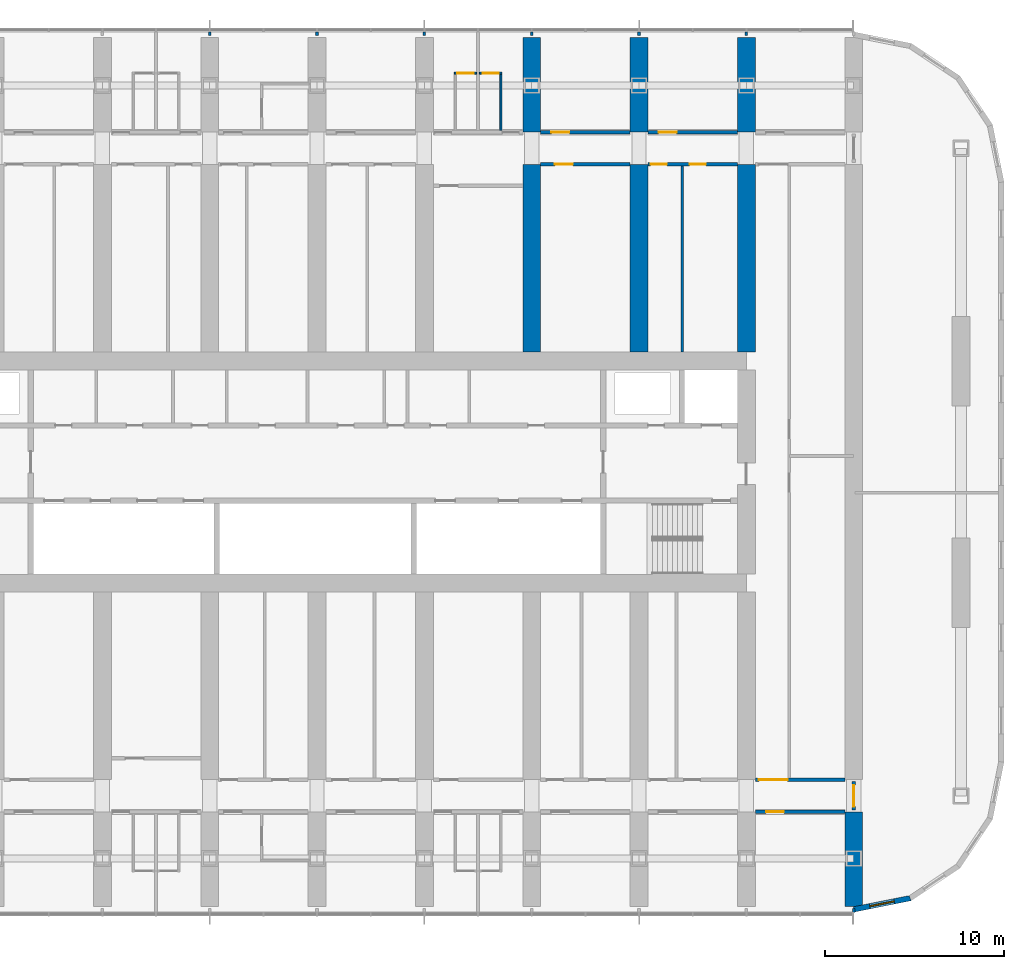
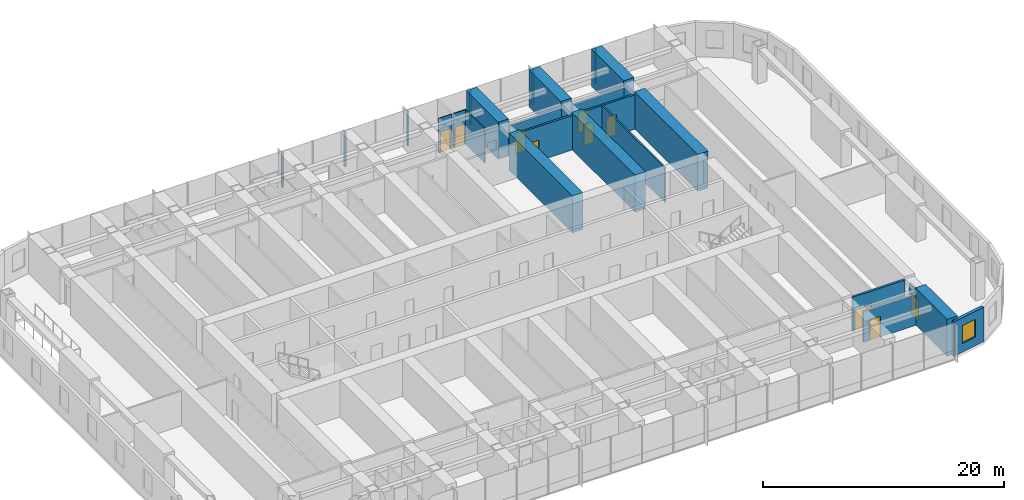
# One storey, part 16 of 22: 26 walls, 10 doors, 1 window, 11 openings.
"""IFC4 building model written with IfcOpenShell, lengths in metres."""

from ifc_helpers import new_model, si_unit, direction, frame, frame_2d, origin, place, context, subcontext, project, spatial, polyline, rectangle, outline, extrude, material, layer, layer_set, type_object, element, fill, save


model = new_model("IFC4")

# Units and contexts
model_context = context("Model", 3, precision=1e-05, world=origin(), true_north=direction((0.0, 1.0)))
body_context = subcontext(model_context, "Body", "Model", "MODEL_VIEW")
ifc_project = project(units=[si_unit("LENGTHUNIT", "METRE"), si_unit("AREAUNIT", "SQUARE_METRE"), si_unit("VOLUMEUNIT", "CUBIC_METRE"), si_unit("PLANEANGLEUNIT", "RADIAN"), si_unit("MASSUNIT", "GRAM", prefix="KILO")], contexts=[model_context])

# Site, building, storey
site_placement = place(None, origin())
site = spatial("IfcSite", under=ifc_project, at=site_placement, CompositionType="ELEMENT")
building_placement = place(site_placement, origin())
building = spatial("IfcBuilding", under=site, at=building_placement, Name="Orbita Commons", CompositionType="ELEMENT")
storey_placement = place(building_placement, frame((0.0, 0.0, 57.699951171875)))
storey = spatial("IfcBuildingStorey", under=building, at=storey_placement, Name="L14", CompositionType="ELEMENT", Elevation=57.699951171875)

# Wall, opening, door
ifc_material_1 = material(Name="Concrete blockwork", Category="masonry")
ifc_layer_1 = layer(ifc_material_1, 0.199951171875)
ifc_layer_set_1 = layer_set([ifc_layer_1], Name="Concrete blockwork")
wall_type_1 = type_object("IfcWallType", Name="Corridor wall 200 blockwork", PredefinedType="SOLIDWALL", material=ifc_layer_set_1)
wall_1_placement = place(storey_placement, frame((66.5, 13.0, 0.0), z_axis=(0.0, 0.0, 1.0), x_axis=(1.0, 0.0, 0.0)))
wall_1 = element("IfcWall", 1, at=wall_1_placement, inside=storey, type_object=wall_type_1, Name="Corridor wall 200 blockwork L14", PredefinedType="SOLIDWALL", context=body_context, shape_type="SweptSolid", body=[
    extrude(outline(polyline([(0.0, 0.0), (5.0, 0.0), (5.0, 3.10009765625), (0.0, 3.10009765625), (0.0, 0.0)])), frame((0.0, 0.10009765625, 0.0), z_axis=(0.0, -1.0, 0.0), x_axis=(1.0, 0.0, 0.0)), (0.0, 0.0, 1.0), 0.199951171875),
])
opening_1_placement = place(wall_1_placement, frame((0.60009765625, 0.0, 0.0)))
opening_1 = element("IfcOpeningElement", 2, at=opening_1_placement, cuts=wall_1, Name="Opening D06", PredefinedType="OPENING", context=body_context, shape_type="SweptSolid", body=[
    extrude(rectangle(XDim=1.0, YDim=2.10009765625, at=frame_2d((0.5, 1.050048828125))), frame((0.0, 0.10986328125, 0.0), z_axis=(0.0, -1.0, 0.0), x_axis=(1.0, 0.0, 0.0)), (0.0, 0.0, 1.0), 0.219970703125),
])
ifc_material_2 = material(Name="Steel-faced fire door leaf", Category="steel")
door_type_1 = type_object("IfcDoorType", Name="Corridor door 20 min 1000x2100", OperationType="SINGLE_SWING_LEFT", PredefinedType="DOOR", material=ifc_material_2)
door_1_placement = place(opening_1_placement, origin())
door_1 = element("IfcDoor", 3, at=door_1_placement, inside=storey, type_object=door_type_1, Name="House study room L14-S18 door", OperationType="SINGLE_SWING_LEFT", OverallHeight=2.10009765625, OverallWidth=1.0, PredefinedType="DOOR", context=body_context, shape_type="SweptSolid", body=[
    extrude(rectangle(XDim=1.0, YDim=2.10009765625, at=frame_2d((0.5, 1.050048828125))), frame((0.0, 0.02490234375, 0.0), z_axis=(0.0, -1.0, 0.0), x_axis=(1.0, 0.0, 0.0)), (0.0, 0.0, 1.0), 0.050048828125),
])
fill(opening_1, door_1)

wall_2_placement = place(storey_placement, frame((54.5, 51.0, 0.0), z_axis=(0.0, 0.0, 1.0), x_axis=(1.0, 0.0, 0.0)))
wall_2 = element("IfcWall", 4, at=wall_2_placement, inside=storey, type_object=wall_type_1, Name="Corridor wall 200 blockwork L14", PredefinedType="SOLIDWALL", context=body_context, shape_type="SweptSolid", body=[
    extrude(outline(polyline([(0.0, 0.0), (5.0, 0.0), (5.0, 3.10009765625), (0.0, 3.10009765625), (0.0, 0.0)])), frame((0.0, 0.10009765625, 0.0), z_axis=(0.0, -1.0, 0.0), x_axis=(1.0, 0.0, 0.0)), (0.0, 0.0, 1.0), 0.199951171875),
])
opening_2_placement = place(wall_2_placement, frame((0.60009765625, 0.0, 0.0)))
opening_2 = element("IfcOpeningElement", 5, at=opening_2_placement, cuts=wall_2, Name="Opening D06", PredefinedType="OPENING", context=body_context, shape_type="SweptSolid", body=[
    extrude(rectangle(XDim=1.0, YDim=2.10009765625, at=frame_2d((0.5, 1.050048828125))), frame((0.0, 0.10986328125, 0.0), z_axis=(0.0, -1.0, 0.0), x_axis=(1.0, 0.0, 0.0)), (0.0, 0.0, 1.0), 0.219970703125),
])
door_2_placement = place(opening_2_placement, origin())
door_2 = element("IfcDoor", 6, at=door_2_placement, inside=storey, type_object=door_type_1, Name="House common room L14-N14 door", OperationType="SINGLE_SWING_LEFT", OverallHeight=2.10009765625, OverallWidth=1.0, PredefinedType="DOOR", context=body_context, shape_type="SweptSolid", body=[
    extrude(rectangle(XDim=1.0, YDim=2.10009765625, at=frame_2d((0.5, 1.050048828125))), frame((0.0, 0.02490234375, 0.0), z_axis=(0.0, -1.0, 0.0), x_axis=(1.0, 0.0, 0.0)), (0.0, 0.0, 1.0), 0.050048828125),
])
fill(opening_2, door_2)

wall_3_placement = place(storey_placement, frame((60.5, 51.0, 0.0), z_axis=(0.0, 0.0, 1.0), x_axis=(1.0, 0.0, 0.0)))
wall_3 = element("IfcWall", 7, at=wall_3_placement, inside=storey, type_object=wall_type_1, Name="Corridor wall 200 blockwork L14", PredefinedType="SOLIDWALL", context=body_context, shape_type="SweptSolid", body=[
    extrude(outline(polyline([(0.0, 0.0), (5.0, 0.0), (5.0, 3.10009765625), (0.0, 3.10009765625), (0.0, 0.0)])), frame((0.0, 0.10009765625, 0.0), z_axis=(0.0, -1.0, 0.0), x_axis=(1.0, 0.0, 0.0)), (0.0, 0.0, 1.0), 0.199951171875),
])
opening_3_placement = place(wall_3_placement, frame((0.60009765625, 0.0, 0.0)))
opening_3 = element("IfcOpeningElement", 8, at=opening_3_placement, cuts=wall_3, Name="Opening D06", PredefinedType="OPENING", context=body_context, shape_type="SweptSolid", body=[
    extrude(rectangle(XDim=1.0, YDim=2.10009765625, at=frame_2d((0.5, 1.050048828125))), frame((0.0, 0.10986328125, 0.0), z_axis=(0.0, -1.0, 0.0), x_axis=(1.0, 0.0, 0.0)), (0.0, 0.0, 1.0), 0.219970703125),
])
door_3_placement = place(opening_3_placement, origin())
door_3 = element("IfcDoor", 9, at=door_3_placement, inside=storey, type_object=door_type_1, Name="House kitchen-diner L14-N16 door", OperationType="SINGLE_SWING_LEFT", OverallHeight=2.10009765625, OverallWidth=1.0, PredefinedType="DOOR", context=body_context, shape_type="SweptSolid", body=[
    extrude(rectangle(XDim=1.0, YDim=2.10009765625, at=frame_2d((0.5, 1.050048828125))), frame((0.0, 0.02490234375, 0.0), z_axis=(0.0, -1.0, 0.0), x_axis=(1.0, 0.0, 0.0)), (0.0, 0.0, 1.0), 0.050048828125),
])
fill(opening_3, door_3)

wall_4_placement = place(storey_placement, frame((72.0, 13.10009765625, 0.0), z_axis=(0.0, 0.0, 1.0), x_axis=(0.0, 1.0, 0.0)))
wall_4 = element("IfcWall", 10, at=wall_4_placement, inside=storey, type_object=wall_type_1, Name="Corridor wall 200 blockwork L14", PredefinedType="SOLIDWALL", context=body_context, shape_type="SweptSolid", body=[
    extrude(outline(polyline([(0.0, 0.0), (1.599853515625, 0.0), (1.60009765625, 3.050048828125), (0.0, 3.050048828125), (0.0, 0.0)])), frame((0.0, 0.10009765625, 0.0), z_axis=(0.0, -1.0, 0.0), x_axis=(1.0, 0.0, 0.0)), (0.0, 0.0, 1.0), 0.199951171875),
])
opening_4_placement = place(wall_4_placement, frame((0.199951171875, 0.0, 0.0)))
opening_4 = element("IfcOpeningElement", 11, at=opening_4_placement, cuts=wall_4, Name="Opening D12", PredefinedType="OPENING", context=body_context, shape_type="SweptSolid", body=[
    extrude(rectangle(XDim=1.199951171875, YDim=2.10009765625, at=frame_2d((0.60009765625, 1.050048828125))), frame((0.0, 0.10986328125, 0.0), z_axis=(0.0, -1.0, 0.0), x_axis=(1.0, 0.0, 0.0)), (0.0, 0.0, 1.0), 0.219970703125),
])
ifc_material_3 = material(Name="Steel-faced fire door leaf", Category="steel")
door_type_2 = type_object("IfcDoorType", Name="Double corridor door 20 min 1200x2100", OperationType="DOUBLE_DOOR_SINGLE_SWING", PredefinedType="DOOR", material=ifc_material_3)
door_4_placement = place(opening_4_placement, origin())
door_4 = element("IfcDoor", 12, at=door_4_placement, inside=storey, type_object=door_type_2, Name="Lounge doors", OperationType="DOUBLE_DOOR_SINGLE_SWING", OverallHeight=2.10009765625, OverallWidth=1.199951171875, PredefinedType="DOOR", context=body_context, shape_type="SweptSolid", body=[
    extrude(rectangle(XDim=1.199951171875, YDim=2.10009765625, at=frame_2d((0.60009765625, 1.050048828125))), frame((0.0, 0.02490234375, 0.0), z_axis=(0.0, -1.0, 0.0), x_axis=(1.0, 0.0, 0.0)), (0.0, 0.0, 1.0), 0.050048828125),
])
fill(opening_4, door_4)

ifc_material_4 = material(Name="Hollow concrete block 200", Category="concrete")
ifc_layer_2 = layer(ifc_material_4, 0.199951171875)
ifc_layer_set_2 = layer_set([ifc_layer_2], Name="Hollow concrete block 200")
wall_type_2 = type_object("IfcWallType", Name="Corridor wall 200 hollow concrete block", PredefinedType="SOLIDWALL", material=ifc_layer_set_2)
wall_5_placement = place(storey_placement, frame((66.5, 14.800048828125, 0.0), z_axis=(0.0, 0.0, 1.0), x_axis=(1.0, 0.0, 0.0)))
wall_5 = element("IfcWall", 13, at=wall_5_placement, inside=storey, type_object=wall_type_2, Name="Corridor wall 200 hollow concrete block L14", PredefinedType="SOLIDWALL", context=body_context, shape_type="SweptSolid", body=[
    extrude(rectangle(XDim=5.0, YDim=0.199951171875, at=frame_2d((2.5, 0.0))), origin(), (0.0, 0.0, 1.0), 3.5),
])
opening_5_placement = place(wall_5_placement, frame((0.199951171875, 0.0, 0.0)))
opening_5 = element("IfcOpeningElement", 14, at=opening_5_placement, cuts=wall_5, Name="Opening D10", PredefinedType="OPENING", context=body_context, shape_type="SweptSolid", body=[
    extrude(rectangle(XDim=1.60009765625, YDim=2.10009765625, at=frame_2d((0.800048828125, 1.050048828125))), frame((0.0, 0.10986328125, 0.0), z_axis=(0.0, -1.0, 0.0), x_axis=(1.0, 0.0, 0.0)), (0.0, 0.0, 1.0), 0.219970703125),
])
ifc_material_5 = material(Name="Steel-faced fire door leaf", Category="steel")
door_type_3 = type_object("IfcDoorType", Name="Double corridor door 20 min 1600x2100", OperationType="DOUBLE_DOOR_SINGLE_SWING", PredefinedType="DOOR", material=ifc_material_5)
door_5_placement = place(opening_5_placement, origin())
door_5 = element("IfcDoor", 15, at=door_5_placement, inside=storey, type_object=door_type_3, Name="Cross corridor doors", OperationType="DOUBLE_DOOR_SINGLE_SWING", OverallHeight=2.10009765625, OverallWidth=1.60009765625, PredefinedType="DOOR", context=body_context, shape_type="SweptSolid", body=[
    extrude(rectangle(XDim=1.60009765625, YDim=2.10009765625, at=frame_2d((0.800048828125, 1.050048828125))), frame((0.0, 0.02490234375, 0.0), z_axis=(0.0, -1.0, 0.0), x_axis=(1.0, 0.0, 0.0)), (0.0, 0.0, 1.0), 0.050048828125),
])
fill(opening_5, door_5)

wall_6_placement = place(storey_placement, frame((54.5, 49.199951171875, 0.0), z_axis=(0.0, 0.0, 1.0), x_axis=(1.0, 0.0, 0.0)))
wall_6 = element("IfcWall", 16, at=wall_6_placement, inside=storey, type_object=wall_type_2, Name="Corridor wall 200 hollow concrete block L14", PredefinedType="SOLIDWALL", context=body_context, shape_type="SweptSolid", body=[
    extrude(rectangle(XDim=5.0, YDim=0.199951171875, at=frame_2d((2.5, 0.0))), origin(), (0.0, 0.0, 1.0), 3.5),
])
opening_6_placement = place(wall_6_placement, frame((0.800048828125, 0.0, 0.0)))
opening_6 = element("IfcOpeningElement", 17, at=opening_6_placement, cuts=wall_6, Name="Opening D06", PredefinedType="OPENING", context=body_context, shape_type="SweptSolid", body=[
    extrude(rectangle(XDim=1.0, YDim=2.10009765625, at=frame_2d((0.5, 1.050048828125))), frame((0.0, 0.10986328125, 0.0), z_axis=(0.0, -1.0, 0.0), x_axis=(1.0, 0.0, 0.0)), (0.0, 0.0, 1.0), 0.219970703125),
])
door_6_placement = place(opening_6_placement, origin())
door_6 = element("IfcDoor", 18, at=door_6_placement, inside=storey, type_object=door_type_1, Name="Store L14-BDN54 door", OperationType="SINGLE_SWING_LEFT", OverallHeight=2.10009765625, OverallWidth=1.0, PredefinedType="DOOR", context=body_context, shape_type="SweptSolid", body=[
    extrude(rectangle(XDim=1.0, YDim=2.10009765625, at=frame_2d((0.5, 1.050048828125))), frame((0.0, 0.02490234375, 0.0), z_axis=(0.0, -1.0, 0.0), x_axis=(1.0, 0.0, 0.0)), (0.0, 0.0, 1.0), 0.050048828125),
])
fill(opening_6, door_6)

# Wall, openings, doors
wall_7_placement = place(storey_placement, frame((60.5, 49.199951171875, 0.0), z_axis=(0.0, 0.0, 1.0), x_axis=(1.0, 0.0, 0.0)))
wall_7 = element("IfcWall", 19, at=wall_7_placement, inside=storey, type_object=wall_type_2, Name="Corridor wall 200 hollow concrete block L14", PredefinedType="SOLIDWALL", context=body_context, shape_type="SweptSolid", body=[
    extrude(rectangle(XDim=5.0, YDim=0.199951171875, at=frame_2d((2.5, 0.0))), origin(), (0.0, 0.0, 1.0), 3.5),
])
opening_7_placement = place(wall_7_placement, frame((0.14990234375, 0.0, 0.0)))
opening_7 = element("IfcOpeningElement", 20, at=opening_7_placement, cuts=wall_7, Name="Opening D11", PredefinedType="OPENING", context=body_context, shape_type="SweptSolid", body=[
    extrude(rectangle(XDim=0.89990234375, YDim=2.10009765625, at=frame_2d((0.449951171875, 1.050048828125))), frame((0.0, 0.10986328125, 0.0), z_axis=(0.0, -1.0, 0.0), x_axis=(1.0, 0.0, 0.0)), (0.0, 0.0, 1.0), 0.219970703125),
])
opening_8_placement = place(wall_7_placement, frame((2.330078125, 0.0, 0.0)))
opening_8 = element("IfcOpeningElement", 21, at=opening_8_placement, cuts=wall_7, Name="Opening D11", PredefinedType="OPENING", context=body_context, shape_type="SweptSolid", body=[
    extrude(rectangle(XDim=0.89990234375, YDim=2.10009765625, at=frame_2d((0.449951171875, 1.050048828125))), frame((0.0, 0.10986328125, 0.0), z_axis=(0.0, -1.0, 0.0), x_axis=(1.0, 0.0, 0.0)), (0.0, 0.0, 1.0), 0.219970703125),
])
ifc_material_6 = material(Name="Steel-faced fire door leaf", Category="steel")
door_type_4 = type_object("IfcDoorType", Name="Corridor door 20 min 900x2100", OperationType="SINGLE_SWING_LEFT", PredefinedType="DOOR", material=ifc_material_6)
door_7_placement = place(opening_7_placement, origin())
door_7 = element("IfcDoor", 22, at=door_7_placement, inside=storey, type_object=door_type_4, Name="Sprinkler valve room L14-BDN60n door", OperationType="SINGLE_SWING_LEFT", OverallHeight=2.10009765625, OverallWidth=0.89990234375, PredefinedType="DOOR", context=body_context, shape_type="SweptSolid", body=[
    extrude(rectangle(XDim=0.89990234375, YDim=2.10009765625, at=frame_2d((0.449951171875, 1.050048828125))), frame((0.0, 0.02490234375, 0.0), z_axis=(0.0, -1.0, 0.0), x_axis=(1.0, 0.0, 0.0)), (0.0, 0.0, 1.0), 0.050048828125),
])
fill(opening_7, door_7)
door_8_placement = place(opening_8_placement, origin())
door_8 = element("IfcDoor", 23, at=door_8_placement, inside=storey, type_object=door_type_4, Name="Electrical and data room L14-BDN60 door", OperationType="SINGLE_SWING_LEFT", OverallHeight=2.10009765625, OverallWidth=0.89990234375, PredefinedType="DOOR", context=body_context, shape_type="SweptSolid", body=[
    extrude(rectangle(XDim=0.89990234375, YDim=2.10009765625, at=frame_2d((0.449951171875, 1.050048828125))), frame((0.0, 0.02490234375, 0.0), z_axis=(0.0, -1.0, 0.0), x_axis=(1.0, 0.0, 0.0)), (0.0, 0.0, 1.0), 0.050048828125),
])
fill(opening_8, door_8)

# Walls
ifc_material_7 = material(Name="Concrete C50/60", Category="concrete")
ifc_layer_3 = layer(ifc_material_7, 1.0)
ifc_layer_set_3 = layer_set([ifc_layer_3], Name="Concrete C50/60")
wall_type_3 = type_object("IfcWallType", Name="Cross wall 1000 C50/60", PredefinedType="SHEAR", material=ifc_layer_set_3)
wall_8_placement = place(storey_placement, frame((54.0, 51.0, 0.0), z_axis=(0.0, 0.0, 1.0), x_axis=(0.0, 1.0, 0.0)))
element("IfcWall", 24, at=wall_8_placement, inside=storey, type_object=wall_type_3, Name="Cross wall 10 north outer L14", PredefinedType="SHEAR", context=body_context, shape_type="SweptSolid", body=[
    extrude(rectangle(XDim=5.300048828125, YDim=1.0, at=frame_2d((2.64990234375, 0.0))), origin(), (0.0, 0.0, 1.0), 3.75),
])
wall_9_placement = place(storey_placement, frame((54.0, 38.699951171875, 0.0), z_axis=(0.0, 0.0, 1.0), x_axis=(0.0, 1.0, 0.0)))
element("IfcWall", 25, at=wall_9_placement, inside=storey, type_object=wall_type_3, Name="Cross wall 10 north inner L14", PredefinedType="SHEAR", context=body_context, shape_type="SweptSolid", body=[
    extrude(rectangle(XDim=10.5, YDim=1.0, at=frame_2d((5.25, 0.0))), origin(), (0.0, 0.0, 1.0), 3.75),
])
wall_10_placement = place(storey_placement, frame((60.0, 51.0, 0.0), z_axis=(0.0, 0.0, 1.0), x_axis=(0.0, 1.0, 0.0)))
element("IfcWall", 26, at=wall_10_placement, inside=storey, type_object=wall_type_3, Name="Cross wall 11 north outer L14", PredefinedType="SHEAR", context=body_context, shape_type="SweptSolid", body=[
    extrude(rectangle(XDim=5.300048828125, YDim=1.0, at=frame_2d((2.64990234375, 0.0))), origin(), (0.0, 0.0, 1.0), 3.75),
])
wall_11_placement = place(storey_placement, frame((60.0, 38.699951171875, 0.0), z_axis=(0.0, 0.0, 1.0), x_axis=(0.0, 1.0, 0.0)))
element("IfcWall", 27, at=wall_11_placement, inside=storey, type_object=wall_type_3, Name="Cross wall 11 north inner L14", PredefinedType="SHEAR", context=body_context, shape_type="SweptSolid", body=[
    extrude(rectangle(XDim=10.5, YDim=1.0, at=frame_2d((5.25, 0.0))), origin(), (0.0, 0.0, 1.0), 3.75),
])
wall_12_placement = place(storey_placement, frame((66.0, 51.0, 0.0), z_axis=(0.0, 0.0, 1.0), x_axis=(0.0, 1.0, 0.0)))
element("IfcWall", 28, at=wall_12_placement, inside=storey, type_object=wall_type_3, Name="Cross wall 12 north outer L14", PredefinedType="SHEAR", context=body_context, shape_type="SweptSolid", body=[
    extrude(rectangle(XDim=5.300048828125, YDim=1.0, at=frame_2d((2.64990234375, 0.0))), origin(), (0.0, 0.0, 1.0), 3.75),
])
wall_13_placement = place(storey_placement, frame((66.0, 38.699951171875, 0.0), z_axis=(0.0, 0.0, 1.0), x_axis=(0.0, 1.0, 0.0)))
element("IfcWall", 29, at=wall_13_placement, inside=storey, type_object=wall_type_3, Name="Cross wall 12 north inner L14", PredefinedType="SHEAR", context=body_context, shape_type="SweptSolid", body=[
    extrude(rectangle(XDim=10.5, YDim=1.0, at=frame_2d((5.25, 0.0))), origin(), (0.0, 0.0, 1.0), 3.75),
])
wall_14_placement = place(storey_placement, frame((72.0, 7.699951171875, 0.0), z_axis=(0.0, 0.0, 1.0), x_axis=(0.0, 1.0, 0.0)))
element("IfcWall", 30, at=wall_14_placement, inside=storey, type_object=wall_type_3, Name="Cross wall 13 south outer L14", PredefinedType="SHEAR", context=body_context, shape_type="SweptSolid", body=[
    extrude(rectangle(XDim=5.300048828125, YDim=1.0, at=frame_2d((2.64990234375, 0.0))), origin(), (0.0, 0.0, 1.0), 3.75),
])

# Wall, opening, door
ifc_material_8 = material(Name="Moisture-resistant plasterboard on steel studs", Category="steel")
ifc_layer_4 = layer(ifc_material_8, 0.10009765625)
ifc_layer_set_4 = layer_set([ifc_layer_4], Name="Moisture-resistant plasterboard on steel studs")
wall_type_4 = type_object("IfcWallType", Name="En-suite partition 100", PredefinedType="PARTITIONING", material=ifc_layer_set_4)
wall_15_placement = place(storey_placement, frame((49.675048828125, 54.300048828125, 0.0), z_axis=(0.0, 0.0, 1.0), x_axis=(1.0, 0.0, 0.0)))
wall_15 = element("IfcWall", 31, at=wall_15_placement, inside=storey, type_object=wall_type_4, Name="En-suite partition 100 L14", PredefinedType="PARTITIONING", context=body_context, shape_type="SweptSolid", body=[
    extrude(rectangle(XDim=1.25, YDim=0.10009765625, at=frame_2d((0.625, 0.0))), origin(), (0.0, 0.0, 1.0), 3.5),
])
opening_9_placement = place(wall_15_placement, frame((0.175048828125, 0.0, 0.0)))
opening_9 = element("IfcOpeningElement", 32, at=opening_9_placement, cuts=wall_15, Name="Opening D09", PredefinedType="OPENING", context=body_context, shape_type="SweptSolid", body=[
    extrude(rectangle(XDim=0.89990234375, YDim=2.10009765625, at=frame_2d((0.449951171875, 1.050048828125))), frame((0.0, 0.06005859375, 0.0), z_axis=(0.0, -1.0, 0.0), x_axis=(1.0, 0.0, 0.0)), (0.0, 0.0, 1.0), 0.1201171875),
])
ifc_material_9 = material(Name="Laminated timber door leaf", Category="wood")
door_type_5 = type_object("IfcDoorType", Name="En-suite door 900x2100", OperationType="SINGLE_SWING_RIGHT", PredefinedType="DOOR", material=ifc_material_9)
door_9_placement = place(opening_9_placement, origin())
door_9 = element("IfcDoor", 33, at=door_9_placement, inside=storey, type_object=door_type_5, Name="En-suite L14-N12 door", OperationType="SINGLE_SWING_RIGHT", OverallHeight=2.10009765625, OverallWidth=0.89990234375, PredefinedType="DOOR", context=body_context, shape_type="SweptSolid", body=[
    extrude(rectangle(XDim=0.89990234375, YDim=2.10009765625, at=frame_2d((0.449951171875, 1.050048828125))), frame((0.0, 0.02490234375, 0.0), z_axis=(0.0, -1.0, 0.0), x_axis=(1.0, 0.0, 0.0)), (0.0, 0.0, 1.0), 0.050048828125),
])
fill(opening_9, door_9)

wall_16_placement = place(storey_placement, frame((51.074951171875, 54.300048828125, 0.0), z_axis=(0.0, 0.0, 1.0), x_axis=(1.0, 0.0, 0.0)))
wall_16 = element("IfcWall", 34, at=wall_16_placement, inside=storey, type_object=wall_type_4, Name="En-suite partition 100 L14", PredefinedType="PARTITIONING", context=body_context, shape_type="SweptSolid", body=[
    extrude(rectangle(XDim=1.25, YDim=0.10009765625, at=frame_2d((0.625, 0.0))), origin(), (0.0, 0.0, 1.0), 3.5),
])
opening_10_placement = place(wall_16_placement, frame((0.175048828125, 0.0, 0.0)))
opening_10 = element("IfcOpeningElement", 35, at=opening_10_placement, cuts=wall_16, Name="Opening D09", PredefinedType="OPENING", context=body_context, shape_type="SweptSolid", body=[
    extrude(rectangle(XDim=0.89990234375, YDim=2.10009765625, at=frame_2d((0.449951171875, 1.050048828125))), frame((0.0, 0.06005859375, 0.0), z_axis=(0.0, -1.0, 0.0), x_axis=(1.0, 0.0, 0.0)), (0.0, 0.0, 1.0), 0.1201171875),
])
door_10_placement = place(opening_10_placement, origin())
door_10 = element("IfcDoor", 36, at=door_10_placement, inside=storey, type_object=door_type_5, Name="En-suite L14-N13 door", OperationType="SINGLE_SWING_RIGHT", OverallHeight=2.10009765625, OverallWidth=0.89990234375, PredefinedType="DOOR", context=body_context, shape_type="SweptSolid", body=[
    extrude(rectangle(XDim=0.89990234375, YDim=2.10009765625, at=frame_2d((0.449951171875, 1.050048828125))), frame((0.0, 0.02490234375, 0.0), z_axis=(0.0, -1.0, 0.0), x_axis=(1.0, 0.0, 0.0)), (0.0, 0.0, 1.0), 0.050048828125),
])
fill(opening_10, door_10)

# Walls
wall_17_placement = place(storey_placement, frame((52.27490234375, 54.25, 0.0), z_axis=(0.0, 0.0, 1.0), x_axis=(0.0, -1.0, 0.0)))
element("IfcWall", 37, at=wall_17_placement, inside=storey, type_object=wall_type_4, Name="En-suite partition 100 L14", PredefinedType="PARTITIONING", context=body_context, shape_type="SweptSolid", body=[
    extrude(outline(polyline([(0.0, 0.0), (3.14990234375, 0.0), (3.14990234375, 3.10009765625), (3.10205078125, 3.10009765625), (3.10009765625, 3.5), (0.85205078125, 3.5), (0.85009765625, 3.10009765625), (0.451904296875, 3.10009765625), (0.449951171875, 3.5), (0.0, 3.5), (0.0, 0.0)])), frame((0.0, 0.050048828125, 0.0), z_axis=(0.0, -1.0, 0.0), x_axis=(1.0, 0.0, 0.0)), (0.0, 0.0, 1.0), 0.10009765625),
])
ifc_material_10 = material(Name="Gypsum plasterboard on steel studs", Category="steel")
ifc_layer_5 = layer(ifc_material_10, 0.14990234375)
ifc_layer_set_5 = layer_set([ifc_layer_5], Name="Gypsum plasterboard on steel studs")
wall_type_5 = type_object("IfcWallType", Name="Partition 150 plasterboard", PredefinedType="PARTITIONING", material=ifc_layer_set_5)
wall_18_placement = place(storey_placement, frame((62.405029296875, 38.699951171875, 0.0), z_axis=(0.0, 0.0, 1.0), x_axis=(0.0, 1.0, 0.0)))
element("IfcWall", 38, at=wall_18_placement, inside=storey, type_object=wall_type_5, Name="Partition 150 plasterboard L14", PredefinedType="PARTITIONING", context=body_context, shape_type="SweptSolid", body=[
    extrude(rectangle(XDim=10.400146484375, YDim=0.14990234375, at=frame_2d((5.2001953125, 0.0))), origin(), (0.0, 0.0, 1.0), 3.5),
])
for number, where, z_axis, x_axis, name in (
    (39, (36.0, 56.39990234375, 0.0), (0.0, 0.0, 1.0), (0.0, 1.0, 0.0), "Partition 150 plasterboard L14"),
    (40, (42.0, 56.39990234375, 0.0), (0.0, 0.0, 1.0), (0.0, 1.0, 0.0), "Partition 150 plasterboard L14"),
    (41, (48.0, 56.39990234375, 0.0), (0.0, 0.0, 1.0), (0.0, 1.0, 0.0), "Partition 150 plasterboard L14"),
    (42, (54.0, 56.39990234375, 0.0), (0.0, 0.0, 1.0), (0.0, 1.0, 0.0), "Partition 150 plasterboard L14"),
    (43, (60.0, 56.39990234375, 0.0), (0.0, 0.0, 1.0), (0.0, 1.0, 0.0), "Partition 150 plasterboard L14"),
    (44, (66.0, 56.39990234375, 0.0), (0.0, 0.0, 1.0), (0.0, 1.0, 0.0), "Partition 150 plasterboard L14"),
):
    element("IfcWall", number, at=place(storey_placement, frame(where, z_axis=z_axis, x_axis=x_axis)), inside=storey, type_object=wall_type_5, Name=name, PredefinedType="PARTITIONING", context=body_context, shape_type="SweptSolid", body=[
        extrude(rectangle(XDim=0.190185546875, YDim=0.14990234375, at=frame_2d((0.09521484375, 0.0))), origin(), (0.0, 0.0, 1.0), 3.5),
    ])
wall_19_placement = place(storey_placement, frame((72.0, 7.60009765625, 0.0), z_axis=(0.0, 0.0, 1.0), x_axis=(0.0, -1.0, 0.0)))
element("IfcWall", 45, at=wall_19_placement, inside=storey, type_object=wall_type_5, Name="Partition 150 plasterboard L14", PredefinedType="PARTITIONING", context=body_context, shape_type="SweptSolid", body=[
    extrude(rectangle(XDim=0.22021484375, YDim=0.14990234375, at=frame_2d((0.110107421875, 0.0))), origin(), (0.0, 0.0, 1.0), 3.5),
])

# Wall, opening, window
ifc_material_11 = material(Name="Precast concrete C40/50, white board-marked finish", Category="concrete")
ifc_layer_6 = layer(ifc_material_11, 0.300048828125)
ifc_layer_set_6 = layer_set([ifc_layer_6], Name="Precast concrete C40/50, white board-marked finish")
wall_type_6 = type_object("IfcWallType", Name="Precast concrete end shield 300", PredefinedType="SOLIDWALL", material=ifc_layer_set_6)
wall_20_placement = place(storey_placement, frame((72.0, 7.550048828125, 0.0), z_axis=(0.0, 0.0, 1.0), x_axis=(0.980787251524, 0.195080412259, 0.0)))
wall_20 = element("IfcWall", 46, at=wall_20_placement, inside=storey, type_object=wall_type_6, Name="End shield SE chord 1 L14", PredefinedType="SOLIDWALL", context=body_context, shape_type="SweptSolid", body=[
    extrude(outline(polyline([(-0.02978515625, -0.14990234375), (3.24853515625, -0.14990234375), (3.18896484375, 0.14990234375), (0.02978515625, 0.14990234375), (-0.02978515625, -0.14990234375)])), origin(), (0.0, 0.0, 1.0), 3.5),
])
opening_11_placement = place(wall_20_placement, frame((0.909423828125, 0.0, 0.89990234375)))
opening_11 = element("IfcOpeningElement", 47, at=opening_11_placement, cuts=wall_20, Name="Opening W02", PredefinedType="OPENING", context=body_context, shape_type="SweptSolid", body=[
    extrude(rectangle(XDim=1.39990234375, YDim=1.800048828125, at=frame_2d((0.699951171875, 0.89990234375))), frame((0.0, 0.159912109375, 0.0), z_axis=(0.0, -1.0, 0.0), x_axis=(1.0, 0.0, 0.0)), (0.0, 0.0, 1.0), 0.320068359375),
])
ifc_material_12 = material(Name="Aluminium frame, clear double glazing", Category="aluminium")
window_type = type_object("IfcWindowType", Name="Deep-set window 1400x1800", PartitioningType="SINGLE_PANEL", PredefinedType="WINDOW", material=ifc_material_12)
window_placement = place(opening_11_placement, origin())
window = element("IfcWindow", 48, at=window_placement, inside=storey, type_object=window_type, Name="Window L14-SE0", OverallHeight=1.800048828125, OverallWidth=1.39990234375, PartitioningType="SINGLE_PANEL", PredefinedType="WINDOW", context=body_context, shape_type="SweptSolid", body=[
    extrude(rectangle(XDim=1.39990234375, YDim=1.800048828125, at=frame_2d((0.699951171875, 0.89990234375))), frame((0.0, 0.030029296875, 0.0), z_axis=(0.0, -1.0, 0.0), x_axis=(1.0, 0.0, 0.0)), (0.0, 0.0, 1.0), 0.06005859375),
])
fill(opening_11, window)

save(model, "model.ifc")
